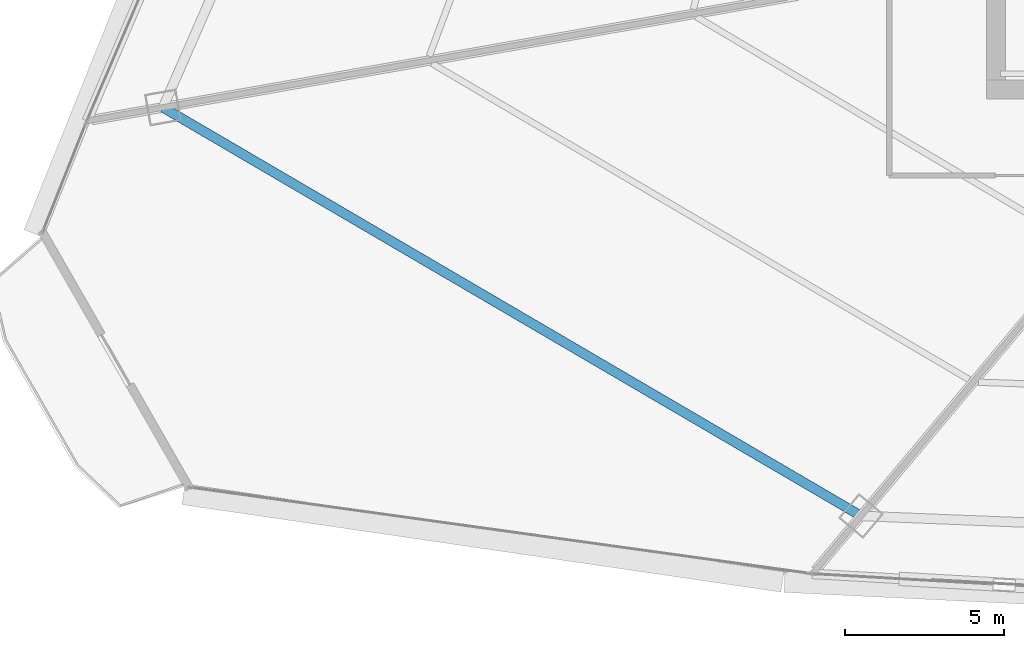
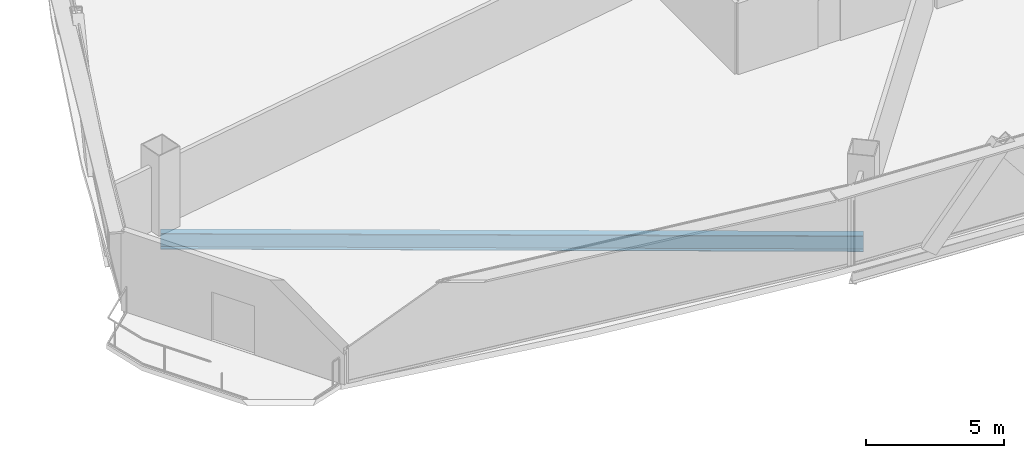
# One storey, part 5 of 37: 1 beam.
"""IFC4 building model written with IfcOpenShell, lengths in metres."""

import ifcopenshell
import ifcopenshell.guid

model = None  # the IFC model being written
_history = None  # IfcOwnerHistory: only IFC2X3 demands one
_inside = {}  # id of a spatial element -> (the spatial element, [elements in it])
_under = {}  # id of a project, library or spatial element -> (it, [spatial elements below it])
_declared = {}  # id of a project -> (the project, [libraries it declares])
_typed = {}  # id of a type object -> (the type object, [elements of that type])
_made_of = {}  # id of a material, layer set ... -> (it, [elements and type objects made of it])


def new_model(schema):
    """Start an empty IFC model of exactly this schema.

    Asked for "IFC4X3", IfcOpenShell would pick the latest addendum, in which some entities
    have other attributes; the version numbers below select the first issue.
    IFC2X3 requires an IfcOwnerHistory on every rooted entity: one is made here for all.
    """
    global model, _history
    if schema == "IFC4X3":
        model = ifcopenshell.file(schema_version=(4, 3, 0, 0))
    else:
        model = ifcopenshell.file(schema=schema)
    _inside.clear()
    _under.clear()
    _declared.clear()
    _typed.clear()
    _made_of.clear()
    _history = None
    if model.schema == "IFC2X3":
        org = make("IfcOrganization", Name="unknown")
        user = make(
            "IfcPersonAndOrganization",
            ThePerson=make("IfcPerson", FamilyName="unknown"),
            TheOrganization=org,
        )
        app = make(
            "IfcApplication",
            ApplicationDeveloper=org,
            Version="unknown",
            ApplicationFullName="unknown",
            ApplicationIdentifier="unknown",
        )
        _history = make(
            "IfcOwnerHistory",
            OwningUser=user,
            OwningApplication=app,
            ChangeAction="ADDED",
            CreationDate=0,
        )
    return model


def make(cls, **values):
    """One entity of the class cls with the attributes given. An attribute that is None is left unset."""
    return model.create_entity(
        cls, **{name: value for name, value in values.items() if value is not None}
    )


def rooted(cls, **values):
    """An entity with a GlobalId (a new one), such as an element, a storey or a relation."""
    return make(cls, GlobalId=ifcopenshell.guid.new(), OwnerHistory=_history, **values)


def si_unit(unit_type, name, prefix=None):
    """IfcSIUnit, for example si_unit("LENGTHUNIT", "METRE", prefix="MILLI")."""
    return make("IfcSIUnit", UnitType=unit_type, Prefix=prefix, Name=name)


def assignment(units):
    """IfcUnitAssignment: the units of a project."""
    return None if units is None else make("IfcUnitAssignment", Units=units)


def point(xyz):
    """IfcCartesianPoint."""
    return None if xyz is None else make("IfcCartesianPoint", Coordinates=xyz)


def direction(xyz):
    """IfcDirection."""
    return None if xyz is None else make("IfcDirection", DirectionRatios=xyz)


def frame(location, z_axis=None, x_axis=None):
    """IfcAxis2Placement3D, a coordinate frame: its origin and axes. An axis left out is left unset."""
    return make(
        "IfcAxis2Placement3D",
        Location=point(location),
        Axis=direction(z_axis),
        RefDirection=direction(x_axis),
    )


def frame_2d(location, x_axis=None):
    """IfcAxis2Placement2D, a coordinate frame in the plane: its origin and x axis."""
    return make(
        "IfcAxis2Placement2D", Location=point(location), RefDirection=direction(x_axis)
    )


def origin():
    """The frame at (0, 0, 0) with its axes left unset."""
    return frame((0.0, 0.0, 0.0))


def origin_2d():
    """The frame at (0, 0) in the plane with its x axis left unset."""
    return frame_2d((0.0, 0.0))


def place(relative_to, where):
    """IfcLocalPlacement: puts the frame where relative to a parent placement (None: the world)."""
    return make(
        "IfcLocalPlacement", PlacementRelTo=relative_to, RelativePlacement=where
    )


def context(
    kind, dimensions, precision=None, world=None, true_north=None, identifier=None
):
    """IfcGeometricRepresentationContext, for example the 3D "Model" context."""
    return make(
        "IfcGeometricRepresentationContext",
        ContextIdentifier=identifier,
        ContextType=kind,
        CoordinateSpaceDimension=dimensions,
        Precision=precision,
        WorldCoordinateSystem=world,
        TrueNorth=true_north,
    )


def subcontext(parent, identifier, kind, view, scale=None):
    """IfcGeometricRepresentationSubContext, for example "Body" below "Model"."""
    return make(
        "IfcGeometricRepresentationSubContext",
        ContextIdentifier=identifier,
        ContextType=kind,
        ParentContext=parent,
        TargetScale=scale,
        TargetView=view,
    )


def project(units=None, contexts=None):
    """IfcProject with its units and contexts."""
    return rooted(
        "IfcProject",
        Name="project",
        RepresentationContexts=contexts,
        UnitsInContext=assignment(units),
    )


def spatial(cls, under=None, at=None, **own):
    """A site, building, storey or space (cls), placed at a placement, below another one or the project."""
    s = rooted(cls, ObjectPlacement=at, **own)
    if under is not None:
        _under.setdefault(under.id(), (under, []))[1].append(s)
    return s


def profile(cls, at=None, kind="AREA", **sizes):
    """A parametric profile (cls). Its sizes go by their IFC names, for example OverallWidth=200.0."""
    return make(cls, ProfileType=kind, Position=at, **sizes)


def i_section(**sizes):
    """IfcIShapeProfileDef."""
    return profile("IfcIShapeProfileDef", **sizes)


def extrude(swept, where, along, depth):
    """IfcExtrudedAreaSolid: the profile swept, set in the frame where, extruded along a direction by depth."""
    return make(
        "IfcExtrudedAreaSolid",
        SweptArea=swept,
        Position=where,
        ExtrudedDirection=direction(along),
        Depth=depth,
    )


def shape(context_of_items, identifier, shape_type, items):
    """IfcShapeRepresentation: the items that make up one representation, for example the "Body"."""
    return make(
        "IfcShapeRepresentation",
        ContextOfItems=context_of_items,
        RepresentationIdentifier=identifier,
        RepresentationType=shape_type,
        Items=items,
    )


def source(mapping_origin, context_of_items, identifier, shape_type, items):
    """IfcRepresentationMap: a shape defined once, which mapped items show again and again."""
    return make(
        "IfcRepresentationMap",
        MappingOrigin=mapping_origin,
        MappedRepresentation=shape(context_of_items, identifier, shape_type, items),
    )


def transform(
    local_origin,
    x_axis=None,
    y_axis=None,
    z_axis=None,
    scale=None,
    scale2=None,
    scale3=None,
    uniform=True,
):
    """IfcCartesianTransformationOperator3D, or its non-uniform kind. x_axis, y_axis, z_axis: its Axis1, 2, 3."""
    if uniform:
        return make(
            "IfcCartesianTransformationOperator3D",
            Axis1=direction(x_axis),
            Axis2=direction(y_axis),
            LocalOrigin=point(local_origin),
            Scale=scale,
            Axis3=direction(z_axis),
        )
    return make(
        "IfcCartesianTransformationOperator3DnonUniform",
        Axis1=direction(x_axis),
        Axis2=direction(y_axis),
        LocalOrigin=point(local_origin),
        Scale=scale,
        Axis3=direction(z_axis),
        Scale2=scale2,
        Scale3=scale3,
    )


def mapped(mapping_source, mapping_target):
    """IfcMappedItem: shows the shape of a source again, moved by a transform."""
    return make(
        "IfcMappedItem", MappingSource=mapping_source, MappingTarget=mapping_target
    )


def material(Name=None, Category=None):
    """IfcMaterial."""
    return make("IfcMaterial", Name=Name, Category=Category)


def material_profile(
    of_material, cross_section, Name=None, Category=None, Priority=None
):
    """IfcMaterialProfile: a cross section and its material."""
    return make(
        "IfcMaterialProfile",
        Name=Name,
        Material=of_material,
        Profile=cross_section,
        Priority=Priority,
        Category=Category,
    )


def profile_set(profiles, Name=None, composite=None):
    """IfcMaterialProfileSet."""
    return make(
        "IfcMaterialProfileSet",
        Name=Name,
        MaterialProfiles=profiles,
        CompositeProfile=composite,
    )


def made_of(thing, what):
    """Note that an element or type object is made of a material, layer set ...; save() writes the relation."""
    if what is not None:
        _made_of.setdefault(what.id(), (what, []))[1].append(thing)
    return thing


def type_object(cls, material=None, **own):
    """A type object (cls), such as IfcWallType, which elements share."""
    return made_of(rooted(cls, **own), material)


def element(
    cls,
    number,
    at=None,
    inside=None,
    cuts=None,
    type_object=None,
    material=None,
    context=None,
    identifier="Body",
    shape_type=None,
    held_by="IfcProductDefinitionShape",
    body=None,
    shapes=None,
    **own,
):
    """One element of the class cls, such as IfcWall. Its Tag is "e" and its number.

    at: its placement. inside: the storey or other place that contains it. cuts: it is an
    opening in that element (IfcRelVoidsElement). A single representation is given by context,
    identifier, shape_type and body (its items); several are given by shapes. held_by: the class
    of the entity that holds the representations. save() writes the other relations.
    """
    e = rooted(cls, Tag="e%d" % number, ObjectPlacement=at, **own)
    if body is not None:
        shapes = [shape(context, identifier, shape_type, body)]
    if shapes is not None:
        e.Representation = make(held_by, Representations=shapes)
    if inside is not None:
        _inside.setdefault(inside.id(), (inside, []))[1].append(e)
    if cuts is not None:
        rooted(
            "IfcRelVoidsElement", RelatingBuildingElement=cuts, RelatedOpeningElement=e
        )
    if type_object is not None:
        _typed.setdefault(type_object.id(), (type_object, []))[1].append(e)
    return made_of(e, material)


def aggregate(whole, parts):
    """IfcRelAggregates: a whole, such as a stair, and the parts it consists of."""
    return rooted("IfcRelAggregates", RelatingObject=whole, RelatedObjects=parts)


def save(model, path):
    """Write the relations noted so far, then the file.

    IfcRelAggregates (storeys below a building ...), IfcRelContainedInSpatialStructure (elements
    in a storey), IfcRelDefinesByType, IfcRelAssociatesMaterial and IfcRelDeclares: one each for
    every whole, place, type object, material and project.
    """
    for whole, parts in _under.values():
        aggregate(whole, parts)
    for where, things in _inside.values():
        rooted(
            "IfcRelContainedInSpatialStructure",
            RelatedElements=things,
            RelatingStructure=where,
        )
    for kind, things in _typed.values():
        rooted("IfcRelDefinesByType", RelatedObjects=things, RelatingType=kind)
    for what, things in _made_of.values():
        rooted("IfcRelAssociatesMaterial", RelatedObjects=things, RelatingMaterial=what)
    for by, libraries in _declared.values():
        rooted("IfcRelDeclares", RelatingContext=by, RelatedDefinitions=libraries)
    model.write(path)


model = new_model("IFC4")

# Units and contexts
model_context = context("Model", 3, precision=1e-05, world=origin(), true_north=direction((0.0, 1.0)))
body_context = subcontext(model_context, "Body", "Model", "MODEL_VIEW")
ifc_project = project(units=[si_unit("LENGTHUNIT", "METRE"), si_unit("AREAUNIT", "SQUARE_METRE"), si_unit("VOLUMEUNIT", "CUBIC_METRE"), si_unit("PLANEANGLEUNIT", "RADIAN"), si_unit("MASSUNIT", "GRAM", prefix="KILO"), si_unit("THERMODYNAMICTEMPERATUREUNIT", "KELVIN"), si_unit("POWERUNIT", "WATT")], contexts=[model_context])

# Site, building, storey
site_placement = place(None, origin())
site = spatial("IfcSite", under=ifc_project, at=site_placement, CompositionType="ELEMENT")
building_placement = place(site_placement, origin())
building = spatial("IfcBuilding", under=site, at=building_placement, Name="Yunzhuo Pagoda Commons", CompositionType="ELEMENT")
storey_placement = place(building_placement, frame((0.0, 0.0, 84.97998046875)))
storey = spatial("IfcBuildingStorey", under=building, at=storey_placement, Name="L21", CompositionType="ELEMENT", Elevation=84.97998046875)

# Beam
ifc_material = material(Name="Structural steel Q355B", Category="steel")
ifc_material_profile = material_profile(ifc_material, i_section(OverallWidth=0.300048828125, OverallDepth=0.699951171875, WebThickness=0.012939453125, FlangeThickness=0.02392578125, at=origin_2d()), Name="Structural steel Q355B")
ifc_profile_set = profile_set([ifc_material_profile], Name="Structural steel Q355B")
beam_type = type_object("IfcBeamType", Name="B-RG1 Beam HN 700x300x13x24", PredefinedType="BEAM", material=ifc_profile_set)
shared_shape = source(origin(), body_context, "Body", "SweptSolid", [
    extrude(i_section(OverallWidth=0.300048828125, OverallDepth=0.699951171875, WebThickness=0.012939453125, FlangeThickness=0.02392578125, at=origin_2d()), origin(), (0.0, 0.0, 1.0), 25.3935546875),
])
beam_placement = place(storey_placement, frame((9.647216796875, 26.9375, -0.60986328125), z_axis=(0.863085207128, -0.505058338449, 0.0), x_axis=(0.505058338449, 0.863085207128, 0.0)))
element("IfcBeam", 1, at=beam_placement, inside=storey, type_object=beam_type, Name="L21 column-ring beam 12", PredefinedType="BEAM", context=body_context, shape_type="MappedRepresentation", body=[
    mapped(shared_shape, transform((0.0, 0.0, 0.0), scale=1.0)),
])

save(model, "model.ifc")
